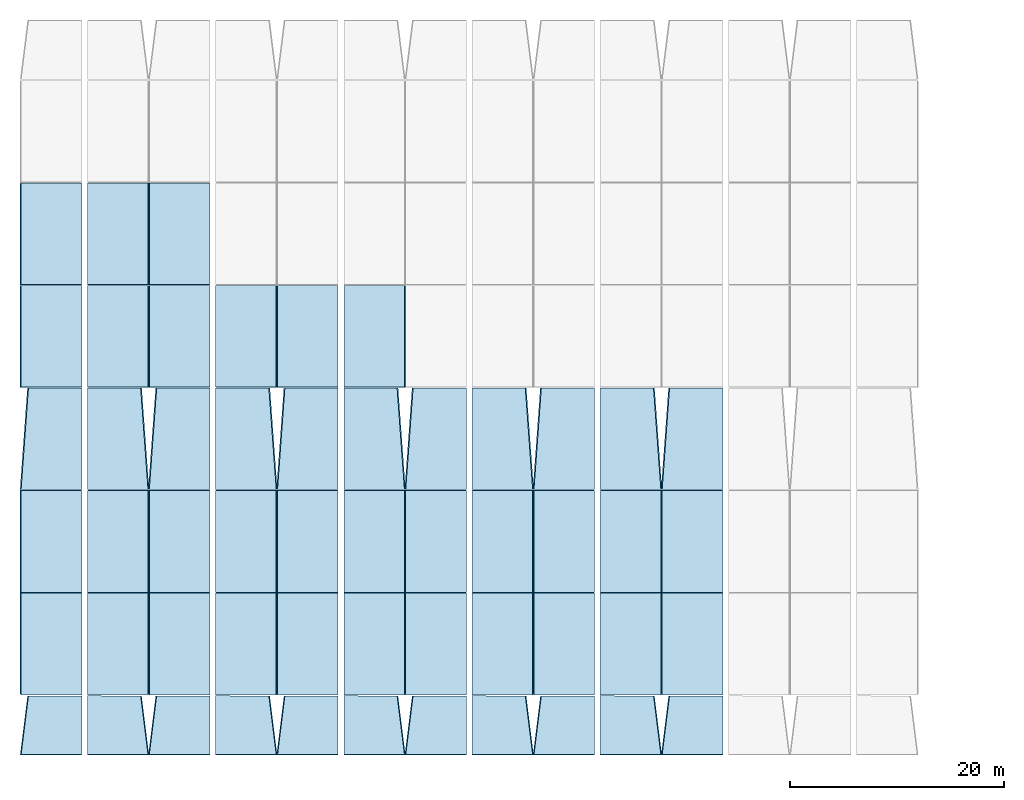
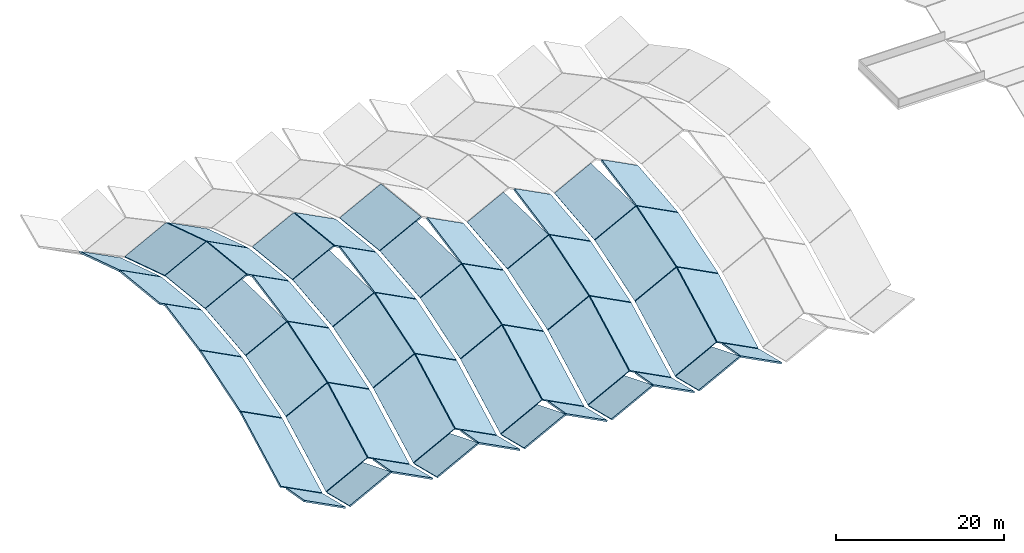
# One storey, part 1 of 4: 53 slabs.
"""IFC4 building model written with IfcOpenShell, lengths in metres."""

from ifc_helpers import new_model, si_unit, direction, frame, origin, place, context, subcontext, project, spatial, polyline, outline, extrude, material, layer, layer_set, type_object, element, save


model = new_model("IFC4")

# Units and contexts
model_context = context("Model", 3, precision=1e-05, world=origin(), true_north=direction((0.0, 1.0)))
body_context = subcontext(model_context, "Body", "Model", "MODEL_VIEW")
ifc_project = project(units=[si_unit("LENGTHUNIT", "METRE"), si_unit("AREAUNIT", "SQUARE_METRE"), si_unit("VOLUMEUNIT", "CUBIC_METRE"), si_unit("PLANEANGLEUNIT", "RADIAN"), si_unit("MASSUNIT", "GRAM", prefix="KILO")], contexts=[model_context])

# Site, building, storey
site_placement = place(None, origin())
site = spatial("IfcSite", under=ifc_project, at=site_placement, CompositionType="ELEMENT")
building_placement = place(site_placement, origin())
building = spatial("IfcBuilding", under=site, at=building_placement, Name="Pandanus Reach Market Hall", CompositionType="ELEMENT")
storey_placement = place(building_placement, frame((0.0, 0.0, 22.800048828125)))
storey = spatial("IfcBuildingStorey", under=building, at=storey_placement, Name="RF", CompositionType="ELEMENT", Elevation=22.800048828125)

# Slabs
ifc_material = material(Name="Concrete N50 (50 MPa)", Category="concrete")
ifc_layer_1 = layer(ifc_material, 0.205078125, Name="RF-BFY-205")
ifc_layer_set_1 = layer_set([ifc_layer_1], Name="Concrete N50 (50 MPa)")
slab_type_1 = type_object("IfcSlabType", Name="RF-BFY-205", PredefinedType="ROOF", material=ifc_layer_set_1)
slab_1_placement = place(storey_placement, frame((48.06005859375, 23.239990234375, -8.481201171875), z_axis=(0.450572874973, 0.215049677559, 0.866451222239), x_axis=(0.887209365664, -2.058844e-06, -0.461367035531)))
element("IfcSlab", 1, at=slab_1_placement, inside=storey, type_object=slab_type_1, Name="Butterfly shell roof wing B1.1W", PredefinedType="ROOF", context=body_context, shape_type="SweptSolid", body=[
    extrude(outline(polyline([(0.0, 0.0), (6.4019883515664695, -1.1102230246251565e-16), (7.0341038918322285, 5.652279776591236), (1.4097038807345572, 5.652254422933277), (0.0, 0.0)])), origin(), (0.0, 0.0, -1.0), 0.205078125),
])
slab_2_placement = place(storey_placement, frame((54.260009765625, 23.239990234375, -11.434814453125), z_axis=(-0.450572874973, 0.215049677559, 0.866451222239), x_axis=(0.887209365664, 2.058844e-06, 0.461367035531)))
element("IfcSlab", 2, at=slab_2_placement, inside=storey, type_object=slab_type_1, Name="Butterfly shell roof wing B1.1E", PredefinedType="ROOF", context=body_context, shape_type="SweptSolid", body=[
    extrude(outline(polyline([(0.0, 0.0), (6.4019883515664695, 1.1102230246251565e-16), (4.992284470831912, 5.652254422933277), (-0.6321155402657588, 5.652279776591236), (0.0, 0.0)])), origin(), (0.0, 0.0, -1.0), 0.205078125),
])
slab_3_placement = place(storey_placement, frame((60.06005859375, 23.239990234375, -8.481201171875), z_axis=(0.450572874973, 0.215049677559, 0.866451222239), x_axis=(0.887209365664, -2.058844e-06, -0.461367035531)))
element("IfcSlab", 3, at=slab_3_placement, inside=storey, type_object=slab_type_1, Name="Butterfly shell roof wing B2.1W", PredefinedType="ROOF", context=body_context, shape_type="SweptSolid", body=[
    extrude(outline(polyline([(0.0, 0.0), (6.4019883515664695, -1.1102230246251565e-16), (7.0341038918322285, 5.652279776591236), (1.4097038807345572, 5.652254422933277), (0.0, 0.0)])), origin(), (0.0, 0.0, -1.0), 0.205078125),
])
slab_4_placement = place(storey_placement, frame((66.260009765625, 23.239990234375, -11.434814453125), z_axis=(-0.450572874973, 0.215049677559, 0.866451222239), x_axis=(0.887209365664, 2.058844e-06, 0.461367035531)))
element("IfcSlab", 4, at=slab_4_placement, inside=storey, type_object=slab_type_1, Name="Butterfly shell roof wing B2.1E", PredefinedType="ROOF", context=body_context, shape_type="SweptSolid", body=[
    extrude(outline(polyline([(0.0, 0.0), (6.4019883515664695, 1.1102230246251565e-16), (4.992284470831912, 5.652254422933277), (-0.6321155402657588, 5.652279776591236), (0.0, 0.0)])), origin(), (0.0, 0.0, -1.0), 0.205078125),
])
slab_5_placement = place(storey_placement, frame((72.06005859375, 23.239990234375, -8.481201171875), z_axis=(0.450572874973, 0.215049677559, 0.866451222239), x_axis=(0.887209365664, -2.058844e-06, -0.461367035531)))
element("IfcSlab", 5, at=slab_5_placement, inside=storey, type_object=slab_type_1, Name="Butterfly shell roof wing B3.1W", PredefinedType="ROOF", context=body_context, shape_type="SweptSolid", body=[
    extrude(outline(polyline([(0.0, 0.0), (6.4019883515664695, -1.1102230246251565e-16), (7.0341038918322285, 5.652279776591236), (1.4097038807345572, 5.652254422933277), (0.0, 0.0)])), origin(), (0.0, 0.0, -1.0), 0.205078125),
])
slab_6_placement = place(storey_placement, frame((78.260009765625, 23.239990234375, -11.434814453125), z_axis=(-0.450572874973, 0.215049677559, 0.866451222239), x_axis=(0.887209365664, 2.058844e-06, 0.461367035531)))
element("IfcSlab", 6, at=slab_6_placement, inside=storey, type_object=slab_type_1, Name="Butterfly shell roof wing B3.1E", PredefinedType="ROOF", context=body_context, shape_type="SweptSolid", body=[
    extrude(outline(polyline([(0.0, 0.0), (6.4019883515664695, 1.1102230246251565e-16), (4.992284470831912, 5.652254422933277), (-0.6321155402657588, 5.652279776591236), (0.0, 0.0)])), origin(), (0.0, 0.0, -1.0), 0.205078125),
])
slab_7_placement = place(storey_placement, frame((84.06005859375, 23.239990234375, -8.481201171875), z_axis=(0.450572874973, 0.215049677559, 0.866451222239), x_axis=(0.887209365664, -2.058844e-06, -0.461367035531)))
element("IfcSlab", 7, at=slab_7_placement, inside=storey, type_object=slab_type_1, Name="Butterfly shell roof wing B4.1W", PredefinedType="ROOF", context=body_context, shape_type="SweptSolid", body=[
    extrude(outline(polyline([(0.0, 0.0), (6.4019883515664695, -1.1102230246251565e-16), (7.0341038918322285, 5.652279776591236), (1.4097038807345572, 5.652254422933277), (0.0, 0.0)])), origin(), (0.0, 0.0, -1.0), 0.205078125),
])
slab_8_placement = place(storey_placement, frame((90.260009765625, 23.239990234375, -11.434814453125), z_axis=(-0.450572874973, 0.215049677559, 0.866451222239), x_axis=(0.887209365664, 2.058844e-06, 0.461367035531)))
element("IfcSlab", 8, at=slab_8_placement, inside=storey, type_object=slab_type_1, Name="Butterfly shell roof wing B4.1E", PredefinedType="ROOF", context=body_context, shape_type="SweptSolid", body=[
    extrude(outline(polyline([(0.0, 0.0), (6.4019883515664695, 1.1102230246251565e-16), (4.992284470831912, 5.652254422933277), (-0.6321155402657588, 5.652279776591236), (0.0, 0.0)])), origin(), (0.0, 0.0, -1.0), 0.205078125),
])
slab_9_placement = place(storey_placement, frame((96.06005859375, 23.239990234375, -8.481201171875), z_axis=(0.450572874973, 0.215049677559, 0.866451222239), x_axis=(0.887209365664, -2.058844e-06, -0.461367035531)))
element("IfcSlab", 9, at=slab_9_placement, inside=storey, type_object=slab_type_1, Name="Butterfly shell roof wing B5.1W", PredefinedType="ROOF", context=body_context, shape_type="SweptSolid", body=[
    extrude(outline(polyline([(0.0, 0.0), (6.4019883515664695, -1.1102230246251565e-16), (7.0341038918322285, 5.652279776591236), (1.4097038807345572, 5.652254422933277), (0.0, 0.0)])), origin(), (0.0, 0.0, -1.0), 0.205078125),
])
slab_10_placement = place(storey_placement, frame((102.260009765625, 23.239990234375, -11.434814453125), z_axis=(-0.450572874973, 0.215049677559, 0.866451222239), x_axis=(0.887209365664, 2.058844e-06, 0.461367035531)))
element("IfcSlab", 10, at=slab_10_placement, inside=storey, type_object=slab_type_1, Name="Butterfly shell roof wing B5.1E", PredefinedType="ROOF", context=body_context, shape_type="SweptSolid", body=[
    extrude(outline(polyline([(0.0, 0.0), (6.4019883515664695, 1.1102230246251565e-16), (4.992284470831912, 5.652254422933277), (-0.6321155402657588, 5.652279776591236), (0.0, 0.0)])), origin(), (0.0, 0.0, -1.0), 0.205078125),
])
slab_11_placement = place(storey_placement, frame((108.06005859375, 23.239990234375, -8.481201171875), z_axis=(0.450572874973, 0.215049677559, 0.866451222239), x_axis=(0.887209365664, -2.058844e-06, -0.461367035531)))
element("IfcSlab", 11, at=slab_11_placement, inside=storey, type_object=slab_type_1, Name="Butterfly shell roof wing B6.1W", PredefinedType="ROOF", context=body_context, shape_type="SweptSolid", body=[
    extrude(outline(polyline([(0.0, 0.0), (6.4019883515664695, -1.1102230246251565e-16), (7.0341038918322285, 5.652279776591236), (1.4097038807345572, 5.652254422933277), (0.0, 0.0)])), origin(), (0.0, 0.0, -1.0), 0.205078125),
])
ifc_layer_2 = layer(ifc_material, 0.219970703125, Name="RF-BFY-220")
ifc_layer_set_2 = layer_set([ifc_layer_2], Name="Concrete N50 (50 MPa)")
slab_type_2 = type_object("IfcSlabType", Name="RF-BFY-220", PredefinedType="ROOF", material=ifc_layer_set_2)
slab_12_placement = place(storey_placement, frame((48.06005859375, 28.840087890625, -9.82568359375), z_axis=(0.417159840837, -0.427112666279, 0.802217200948), x_axis=(0.887213679321, 0.0, -0.461358740272)))
element("IfcSlab", 12, at=slab_12_placement, inside=storey, type_object=slab_type_2, Name="Butterfly shell roof wing B1.2W", PredefinedType="ROOF", context=body_context, shape_type="SweptSolid", body=[
    extrude(outline(polyline([(0.0, 0.0), (6.401988351859865, 2.220446049250313e-16), (4.063543818952953, 10.528684183719509), (-2.3384445329069137, 10.528684183719509), (0.0, 0.0)])), origin(), (0.0, 0.0, -1.0), 0.219970703125),
])
slab_13_placement = place(storey_placement, frame((54.260009765625, 28.840087890625, -12.779296875), z_axis=(-0.417159840837, -0.427112666279, 0.802217200948), x_axis=(0.887213679321, 0.0, 0.461358740272)))
element("IfcSlab", 13, at=slab_13_placement, inside=storey, type_object=slab_type_2, Name="Butterfly shell roof wing B1.2E", PredefinedType="ROOF", context=body_context, shape_type="SweptSolid", body=[
    extrude(outline(polyline([(0.0, 0.0), (6.401988351859865, -2.220446049250313e-16), (8.74043288476678, 10.528684183719509), (2.3384445329069137, 10.528684183719509), (0.0, 0.0)])), origin(), (0.0, 0.0, -1.0), 0.219970703125),
])
slab_14_placement = place(storey_placement, frame((48.06005859375, 38.43994140625, -4.72314453125), z_axis=(0.443877113552, -0.272667290232, 0.853595722167), x_axis=(0.887213679321, 0.0, -0.461358740272)))
element("IfcSlab", 14, at=slab_14_placement, inside=storey, type_object=slab_type_2, Name="Butterfly shell roof wing B1.3W", PredefinedType="ROOF", context=body_context, shape_type="SweptSolid", body=[
    extrude(outline(polyline([(0.0, 0.0), (6.401988351859866, 1.1102230246251565e-16), (4.998989213962437, 9.894955347344156), (-1.4029991378974285, 9.894955347344156), (0.0, 0.0)])), origin(), (0.0, 0.0, -1.0), 0.219970703125),
])
slab_15_placement = place(storey_placement, frame((54.260009765625, 38.43994140625, -7.6767578125), z_axis=(-0.443877113552, -0.272667290232, 0.853595722167), x_axis=(0.887213679321, 0.0, 0.461358740272)))
element("IfcSlab", 15, at=slab_15_placement, inside=storey, type_object=slab_type_2, Name="Butterfly shell roof wing B1.3E", PredefinedType="ROOF", context=body_context, shape_type="SweptSolid", body=[
    extrude(outline(polyline([(0.0, 0.0), (6.401988351859866, -1.1102230246251565e-16), (7.804987489757294, 9.894955347344156), (1.4029991378974285, 9.894955347344156), (0.0, 0.0)])), origin(), (0.0, 0.0, -1.0), 0.219970703125),
])
slab_16_placement = place(storey_placement, frame((48.06005859375, 48.0400390625, -1.6650390625), z_axis=(0.459305750832, -0.094067335616, 0.883283399382), x_axis=(0.887217432482, -7.68654e-07, -0.461351522702)))
element("IfcSlab", 16, at=slab_16_placement, inside=storey, type_object=slab_type_2, Name="Butterfly shell roof wing B1.4W", PredefinedType="ROOF", context=body_context, shape_type="SweptSolid", body=[
    extrude(outline(polyline([(0.0, 0.0), (6.401988351646134, -2.7755575615628914e-17), (5.934209336347639, 9.562425442963313), (0.30992196189048776, 9.562416157750382), (0.0, 0.0)])), origin(), (0.0, 0.0, -1.0), 0.219970703125),
])
slab_17_placement = place(storey_placement, frame((54.260009765625, 48.0400390625, -4.61865234375), z_axis=(-0.459305750832, -0.094067335616, 0.883283399382), x_axis=(0.887217432482, 7.68654e-07, 0.461351522702)))
element("IfcSlab", 17, at=slab_17_placement, inside=storey, type_object=slab_type_2, Name="Butterfly shell roof wing B1.4E", PredefinedType="ROOF", context=body_context, shape_type="SweptSolid", body=[
    extrude(outline(polyline([(0.0, 0.0), (6.401988351646134, 2.7755575615628914e-17), (6.0920663897556455, 9.562416157750384), (0.4677790152984958, 9.562425442963313), (0.0, 0.0)])), origin(), (0.0, 0.0, -1.0), 0.219970703125),
])
slab_18_placement = place(storey_placement, frame((48.06005859375, 57.639892578125, -0.6513671875), z_axis=(0.459298291418, 0.094061978556, 0.883287848717), x_axis=(0.887221553122, -1.584233e-06, -0.461343598278)))
element("IfcSlab", 18, at=slab_18_placement, inside=storey, type_object=slab_type_2, Name="Butterfly shell roof wing B1.5W", PredefinedType="ROOF", context=body_context, shape_type="SweptSolid", body=[
    extrude(outline(polyline([(0.0, 0.0), (6.401875718205034, 2.7755575615628914e-17), (6.86962429927211, 9.562426931245342), (0.4676359483526534, 9.562406556601216), (0.0, 0.0)])), origin(), (0.0, 0.0, -1.0), 0.219970703125),
])
slab_19_placement = place(storey_placement, frame((54.260009765625, 57.639892578125, -3.604736328125), z_axis=(-0.459298291418, 0.094061978556, 0.883287848717), x_axis=(0.887221553122, 1.584233e-06, 0.461343598278)))
element("IfcSlab", 19, at=slab_19_placement, inside=storey, type_object=slab_type_2, Name="Butterfly shell roof wing B1.5E", PredefinedType="ROOF", context=body_context, shape_type="SweptSolid", body=[
    extrude(outline(polyline([(0.0, 0.0), (6.401875718205034, -2.7755575615628914e-17), (5.93423976985238, 9.562406556601218), (-0.46774858106707684, 9.562426931245342), (0.0, 0.0)])), origin(), (0.0, 0.0, -1.0), 0.219970703125),
])
slab_20_placement = place(storey_placement, frame((48.06005859375, 67.239990234375, -1.68212890625), z_axis=(0.443877113552, 0.272667290232, 0.853595722167), x_axis=(0.887213679321, 0.0, -0.461358740272)))
element("IfcSlab", 20, at=slab_20_placement, inside=storey, type_object=slab_type_2, Name="Butterfly shell roof wing B1.6W", PredefinedType="ROOF", context=body_context, shape_type="SweptSolid", body=[
    extrude(outline(polyline([(0.0, 0.0), (6.401988351859866, -1.1102230246251565e-16), (7.804987489757294, 9.894955347344156), (1.4029991378974285, 9.894955347344156), (0.0, 0.0)])), origin(), (0.0, 0.0, -1.0), 0.219970703125),
])
slab_21_placement = place(storey_placement, frame((54.260009765625, 67.239990234375, -4.6357421875), z_axis=(-0.443877113552, 0.272667290232, 0.853595722167), x_axis=(0.887213679321, 0.0, 0.461358740272)))
element("IfcSlab", 21, at=slab_21_placement, inside=storey, type_object=slab_type_2, Name="Butterfly shell roof wing B1.6E", PredefinedType="ROOF", context=body_context, shape_type="SweptSolid", body=[
    extrude(outline(polyline([(0.0, 0.0), (6.401988351859866, 1.1102230246251565e-16), (4.998989213962437, 9.894955347344156), (-1.4029991378974285, 9.894955347344156), (0.0, 0.0)])), origin(), (0.0, 0.0, -1.0), 0.219970703125),
])
slab_22_placement = place(storey_placement, frame((60.06005859375, 28.840087890625, -9.82568359375), z_axis=(0.417159840837, -0.427112666279, 0.802217200948), x_axis=(0.887213679321, 0.0, -0.461358740272)))
element("IfcSlab", 22, at=slab_22_placement, inside=storey, type_object=slab_type_2, Name="Butterfly shell roof wing B2.2W", PredefinedType="ROOF", context=body_context, shape_type="SweptSolid", body=[
    extrude(outline(polyline([(0.0, 0.0), (6.401988351859865, 2.220446049250313e-16), (4.063543818952953, 10.528684183719509), (-2.3384445329069137, 10.528684183719509), (0.0, 0.0)])), origin(), (0.0, 0.0, -1.0), 0.219970703125),
])
slab_23_placement = place(storey_placement, frame((66.260009765625, 28.840087890625, -12.779296875), z_axis=(-0.417159840837, -0.427112666279, 0.802217200948), x_axis=(0.887213679321, 0.0, 0.461358740272)))
element("IfcSlab", 23, at=slab_23_placement, inside=storey, type_object=slab_type_2, Name="Butterfly shell roof wing B2.2E", PredefinedType="ROOF", context=body_context, shape_type="SweptSolid", body=[
    extrude(outline(polyline([(0.0, 0.0), (6.401988351859865, -2.220446049250313e-16), (8.74043288476678, 10.528684183719509), (2.3384445329069137, 10.528684183719509), (0.0, 0.0)])), origin(), (0.0, 0.0, -1.0), 0.219970703125),
])
slab_24_placement = place(storey_placement, frame((60.06005859375, 38.43994140625, -4.72314453125), z_axis=(0.443877113552, -0.272667290232, 0.853595722167), x_axis=(0.887213679321, 0.0, -0.461358740272)))
element("IfcSlab", 24, at=slab_24_placement, inside=storey, type_object=slab_type_2, Name="Butterfly shell roof wing B2.3W", PredefinedType="ROOF", context=body_context, shape_type="SweptSolid", body=[
    extrude(outline(polyline([(0.0, 0.0), (6.401988351859866, 1.1102230246251565e-16), (4.998989213962437, 9.894955347344156), (-1.4029991378974285, 9.894955347344156), (0.0, 0.0)])), origin(), (0.0, 0.0, -1.0), 0.219970703125),
])
slab_25_placement = place(storey_placement, frame((66.260009765625, 38.43994140625, -7.6767578125), z_axis=(-0.443877113552, -0.272667290232, 0.853595722167), x_axis=(0.887213679321, 0.0, 0.461358740272)))
element("IfcSlab", 25, at=slab_25_placement, inside=storey, type_object=slab_type_2, Name="Butterfly shell roof wing B2.3E", PredefinedType="ROOF", context=body_context, shape_type="SweptSolid", body=[
    extrude(outline(polyline([(0.0, 0.0), (6.401988351859866, -1.1102230246251565e-16), (7.804987489757294, 9.894955347344156), (1.4029991378974285, 9.894955347344156), (0.0, 0.0)])), origin(), (0.0, 0.0, -1.0), 0.219970703125),
])
slab_26_placement = place(storey_placement, frame((60.06005859375, 48.0400390625, -1.6650390625), z_axis=(0.459305750832, -0.094067335616, 0.883283399382), x_axis=(0.887217432482, -7.68654e-07, -0.461351522702)))
element("IfcSlab", 26, at=slab_26_placement, inside=storey, type_object=slab_type_2, Name="Butterfly shell roof wing B2.4W", PredefinedType="ROOF", context=body_context, shape_type="SweptSolid", body=[
    extrude(outline(polyline([(0.0, 0.0), (6.401988351646134, -2.7755575615628914e-17), (5.934209336347639, 9.562425442963313), (0.30992196189048776, 9.562416157750382), (0.0, 0.0)])), origin(), (0.0, 0.0, -1.0), 0.219970703125),
])
slab_27_placement = place(storey_placement, frame((66.260009765625, 48.0400390625, -4.61865234375), z_axis=(-0.459305750832, -0.094067335616, 0.883283399382), x_axis=(0.887217432482, 7.68654e-07, 0.461351522702)))
element("IfcSlab", 27, at=slab_27_placement, inside=storey, type_object=slab_type_2, Name="Butterfly shell roof wing B2.4E", PredefinedType="ROOF", context=body_context, shape_type="SweptSolid", body=[
    extrude(outline(polyline([(0.0, 0.0), (6.401988351646134, 2.7755575615628914e-17), (6.0920663897556455, 9.562416157750384), (0.4677790152984958, 9.562425442963313), (0.0, 0.0)])), origin(), (0.0, 0.0, -1.0), 0.219970703125),
])
slab_28_placement = place(storey_placement, frame((60.06005859375, 57.639892578125, -0.6513671875), z_axis=(0.459298291418, 0.094061978556, 0.883287848717), x_axis=(0.887221553122, -1.584233e-06, -0.461343598278)))
element("IfcSlab", 28, at=slab_28_placement, inside=storey, type_object=slab_type_2, Name="Butterfly shell roof wing B2.5W", PredefinedType="ROOF", context=body_context, shape_type="SweptSolid", body=[
    extrude(outline(polyline([(0.0, 0.0), (6.401875718205034, 2.7755575615628914e-17), (6.86962429927211, 9.562426931245342), (0.4676359483526534, 9.562406556601216), (0.0, 0.0)])), origin(), (0.0, 0.0, -1.0), 0.219970703125),
])
slab_29_placement = place(storey_placement, frame((66.260009765625, 57.639892578125, -3.604736328125), z_axis=(-0.459298291418, 0.094061978556, 0.883287848717), x_axis=(0.887221553122, 1.584233e-06, 0.461343598278)))
element("IfcSlab", 29, at=slab_29_placement, inside=storey, type_object=slab_type_2, Name="Butterfly shell roof wing B2.5E", PredefinedType="ROOF", context=body_context, shape_type="SweptSolid", body=[
    extrude(outline(polyline([(0.0, 0.0), (6.401875718205034, -2.7755575615628914e-17), (5.93423976985238, 9.562406556601218), (-0.46774858106707684, 9.562426931245342), (0.0, 0.0)])), origin(), (0.0, 0.0, -1.0), 0.219970703125),
])
slab_30_placement = place(storey_placement, frame((60.06005859375, 67.239990234375, -1.68212890625), z_axis=(0.443877113552, 0.272667290232, 0.853595722167), x_axis=(0.887213679321, 0.0, -0.461358740272)))
element("IfcSlab", 30, at=slab_30_placement, inside=storey, type_object=slab_type_2, Name="Butterfly shell roof wing B2.6W", PredefinedType="ROOF", context=body_context, shape_type="SweptSolid", body=[
    extrude(outline(polyline([(0.0, 0.0), (6.401988351859866, -1.1102230246251565e-16), (7.804987489757294, 9.894955347344156), (1.4029991378974285, 9.894955347344156), (0.0, 0.0)])), origin(), (0.0, 0.0, -1.0), 0.219970703125),
])
slab_31_placement = place(storey_placement, frame((72.06005859375, 28.840087890625, -9.82568359375), z_axis=(0.417159840837, -0.427112666279, 0.802217200948), x_axis=(0.887213679321, 0.0, -0.461358740272)))
element("IfcSlab", 31, at=slab_31_placement, inside=storey, type_object=slab_type_2, Name="Butterfly shell roof wing B3.2W", PredefinedType="ROOF", context=body_context, shape_type="SweptSolid", body=[
    extrude(outline(polyline([(0.0, 0.0), (6.401988351859865, 2.220446049250313e-16), (4.063543818952953, 10.528684183719509), (-2.3384445329069137, 10.528684183719509), (0.0, 0.0)])), origin(), (0.0, 0.0, -1.0), 0.219970703125),
])
slab_32_placement = place(storey_placement, frame((78.260009765625, 28.840087890625, -12.779296875), z_axis=(-0.417159840837, -0.427112666279, 0.802217200948), x_axis=(0.887213679321, 0.0, 0.461358740272)))
element("IfcSlab", 32, at=slab_32_placement, inside=storey, type_object=slab_type_2, Name="Butterfly shell roof wing B3.2E", PredefinedType="ROOF", context=body_context, shape_type="SweptSolid", body=[
    extrude(outline(polyline([(0.0, 0.0), (6.401988351859865, -2.220446049250313e-16), (8.74043288476678, 10.528684183719509), (2.3384445329069137, 10.528684183719509), (0.0, 0.0)])), origin(), (0.0, 0.0, -1.0), 0.219970703125),
])
slab_33_placement = place(storey_placement, frame((72.06005859375, 38.43994140625, -4.72314453125), z_axis=(0.443877113552, -0.272667290232, 0.853595722167), x_axis=(0.887213679321, 0.0, -0.461358740272)))
element("IfcSlab", 33, at=slab_33_placement, inside=storey, type_object=slab_type_2, Name="Butterfly shell roof wing B3.3W", PredefinedType="ROOF", context=body_context, shape_type="SweptSolid", body=[
    extrude(outline(polyline([(0.0, 0.0), (6.401988351859866, 1.1102230246251565e-16), (4.998989213962437, 9.894955347344156), (-1.4029991378974285, 9.894955347344156), (0.0, 0.0)])), origin(), (0.0, 0.0, -1.0), 0.219970703125),
])
slab_34_placement = place(storey_placement, frame((78.260009765625, 38.43994140625, -7.6767578125), z_axis=(-0.443877113552, -0.272667290232, 0.853595722167), x_axis=(0.887213679321, 0.0, 0.461358740272)))
element("IfcSlab", 34, at=slab_34_placement, inside=storey, type_object=slab_type_2, Name="Butterfly shell roof wing B3.3E", PredefinedType="ROOF", context=body_context, shape_type="SweptSolid", body=[
    extrude(outline(polyline([(0.0, 0.0), (6.401988351859866, -1.1102230246251565e-16), (7.804987489757294, 9.894955347344156), (1.4029991378974285, 9.894955347344156), (0.0, 0.0)])), origin(), (0.0, 0.0, -1.0), 0.219970703125),
])
slab_35_placement = place(storey_placement, frame((72.06005859375, 48.0400390625, -1.6650390625), z_axis=(0.459305750832, -0.094067335616, 0.883283399382), x_axis=(0.887217432482, -7.68654e-07, -0.461351522702)))
element("IfcSlab", 35, at=slab_35_placement, inside=storey, type_object=slab_type_2, Name="Butterfly shell roof wing B3.4W", PredefinedType="ROOF", context=body_context, shape_type="SweptSolid", body=[
    extrude(outline(polyline([(0.0, 0.0), (6.401988351646134, -2.7755575615628914e-17), (5.934209336347639, 9.562425442963313), (0.30992196189048776, 9.562416157750382), (0.0, 0.0)])), origin(), (0.0, 0.0, -1.0), 0.219970703125),
])
slab_36_placement = place(storey_placement, frame((78.260009765625, 48.0400390625, -4.61865234375), z_axis=(-0.459305750832, -0.094067335616, 0.883283399382), x_axis=(0.887217432482, 7.68654e-07, 0.461351522702)))
element("IfcSlab", 36, at=slab_36_placement, inside=storey, type_object=slab_type_2, Name="Butterfly shell roof wing B3.4E", PredefinedType="ROOF", context=body_context, shape_type="SweptSolid", body=[
    extrude(outline(polyline([(0.0, 0.0), (6.401988351646134, 2.7755575615628914e-17), (6.0920663897556455, 9.562416157750384), (0.4677790152984958, 9.562425442963313), (0.0, 0.0)])), origin(), (0.0, 0.0, -1.0), 0.219970703125),
])
slab_37_placement = place(storey_placement, frame((72.06005859375, 57.639892578125, -0.6513671875), z_axis=(0.459298291418, 0.094061978556, 0.883287848717), x_axis=(0.887221553122, -1.584233e-06, -0.461343598278)))
element("IfcSlab", 37, at=slab_37_placement, inside=storey, type_object=slab_type_2, Name="Butterfly shell roof wing B3.5W", PredefinedType="ROOF", context=body_context, shape_type="SweptSolid", body=[
    extrude(outline(polyline([(0.0, 0.0), (6.401875718205034, 2.7755575615628914e-17), (6.86962429927211, 9.562426931245342), (0.4676359483526534, 9.562406556601216), (0.0, 0.0)])), origin(), (0.0, 0.0, -1.0), 0.219970703125),
])
slab_38_placement = place(storey_placement, frame((78.260009765625, 57.639892578125, -3.604736328125), z_axis=(-0.459298291418, 0.094061978556, 0.883287848717), x_axis=(0.887221553122, 1.584233e-06, 0.461343598278)))
element("IfcSlab", 38, at=slab_38_placement, inside=storey, type_object=slab_type_2, Name="Butterfly shell roof wing B3.5E", PredefinedType="ROOF", context=body_context, shape_type="SweptSolid", body=[
    extrude(outline(polyline([(0.0, 0.0), (6.401875718205034, -2.7755575615628914e-17), (5.93423976985238, 9.562406556601218), (-0.46774858106707684, 9.562426931245342), (0.0, 0.0)])), origin(), (0.0, 0.0, -1.0), 0.219970703125),
])
slab_39_placement = place(storey_placement, frame((84.06005859375, 28.840087890625, -9.82568359375), z_axis=(0.417159840837, -0.427112666279, 0.802217200948), x_axis=(0.887213679321, 0.0, -0.461358740272)))
element("IfcSlab", 39, at=slab_39_placement, inside=storey, type_object=slab_type_2, Name="Butterfly shell roof wing B4.2W", PredefinedType="ROOF", context=body_context, shape_type="SweptSolid", body=[
    extrude(outline(polyline([(0.0, 0.0), (6.401988351859865, 2.220446049250313e-16), (4.063543818952953, 10.528684183719509), (-2.3384445329069137, 10.528684183719509), (0.0, 0.0)])), origin(), (0.0, 0.0, -1.0), 0.219970703125),
])
slab_40_placement = place(storey_placement, frame((90.260009765625, 28.840087890625, -12.779296875), z_axis=(-0.417159840837, -0.427112666279, 0.802217200948), x_axis=(0.887213679321, 0.0, 0.461358740272)))
element("IfcSlab", 40, at=slab_40_placement, inside=storey, type_object=slab_type_2, Name="Butterfly shell roof wing B4.2E", PredefinedType="ROOF", context=body_context, shape_type="SweptSolid", body=[
    extrude(outline(polyline([(0.0, 0.0), (6.401988351859865, -2.220446049250313e-16), (8.74043288476678, 10.528684183719509), (2.3384445329069137, 10.528684183719509), (0.0, 0.0)])), origin(), (0.0, 0.0, -1.0), 0.219970703125),
])
slab_41_placement = place(storey_placement, frame((84.06005859375, 38.43994140625, -4.72314453125), z_axis=(0.443877113552, -0.272667290232, 0.853595722167), x_axis=(0.887213679321, 0.0, -0.461358740272)))
element("IfcSlab", 41, at=slab_41_placement, inside=storey, type_object=slab_type_2, Name="Butterfly shell roof wing B4.3W", PredefinedType="ROOF", context=body_context, shape_type="SweptSolid", body=[
    extrude(outline(polyline([(0.0, 0.0), (6.401988351859866, 1.1102230246251565e-16), (4.998989213962437, 9.894955347344156), (-1.4029991378974285, 9.894955347344156), (0.0, 0.0)])), origin(), (0.0, 0.0, -1.0), 0.219970703125),
])
slab_42_placement = place(storey_placement, frame((90.260009765625, 38.43994140625, -7.6767578125), z_axis=(-0.443877113552, -0.272667290232, 0.853595722167), x_axis=(0.887213679321, 0.0, 0.461358740272)))
element("IfcSlab", 42, at=slab_42_placement, inside=storey, type_object=slab_type_2, Name="Butterfly shell roof wing B4.3E", PredefinedType="ROOF", context=body_context, shape_type="SweptSolid", body=[
    extrude(outline(polyline([(0.0, 0.0), (6.401988351859866, -1.1102230246251565e-16), (7.804987489757294, 9.894955347344156), (1.4029991378974285, 9.894955347344156), (0.0, 0.0)])), origin(), (0.0, 0.0, -1.0), 0.219970703125),
])
slab_43_placement = place(storey_placement, frame((84.06005859375, 48.0400390625, -1.6650390625), z_axis=(0.459305750832, -0.094067335616, 0.883283399382), x_axis=(0.887217432482, -7.68654e-07, -0.461351522702)))
element("IfcSlab", 43, at=slab_43_placement, inside=storey, type_object=slab_type_2, Name="Butterfly shell roof wing B4.4W", PredefinedType="ROOF", context=body_context, shape_type="SweptSolid", body=[
    extrude(outline(polyline([(0.0, 0.0), (6.401988351646134, -2.7755575615628914e-17), (5.934209336347639, 9.562425442963313), (0.30992196189048776, 9.562416157750382), (0.0, 0.0)])), origin(), (0.0, 0.0, -1.0), 0.219970703125),
])
slab_44_placement = place(storey_placement, frame((90.260009765625, 48.0400390625, -4.61865234375), z_axis=(-0.459305750832, -0.094067335616, 0.883283399382), x_axis=(0.887217432482, 7.68654e-07, 0.461351522702)))
element("IfcSlab", 44, at=slab_44_placement, inside=storey, type_object=slab_type_2, Name="Butterfly shell roof wing B4.4E", PredefinedType="ROOF", context=body_context, shape_type="SweptSolid", body=[
    extrude(outline(polyline([(0.0, 0.0), (6.401988351646134, 2.7755575615628914e-17), (6.0920663897556455, 9.562416157750384), (0.4677790152984958, 9.562425442963313), (0.0, 0.0)])), origin(), (0.0, 0.0, -1.0), 0.219970703125),
])
slab_45_placement = place(storey_placement, frame((96.06005859375, 28.840087890625, -9.82568359375), z_axis=(0.417159840837, -0.427112666279, 0.802217200948), x_axis=(0.887213679321, 0.0, -0.461358740272)))
element("IfcSlab", 45, at=slab_45_placement, inside=storey, type_object=slab_type_2, Name="Butterfly shell roof wing B5.2W", PredefinedType="ROOF", context=body_context, shape_type="SweptSolid", body=[
    extrude(outline(polyline([(0.0, 0.0), (6.401988351859865, 2.220446049250313e-16), (4.063543818952953, 10.528684183719509), (-2.3384445329069137, 10.528684183719509), (0.0, 0.0)])), origin(), (0.0, 0.0, -1.0), 0.219970703125),
])
slab_46_placement = place(storey_placement, frame((102.260009765625, 28.840087890625, -12.779296875), z_axis=(-0.417159840837, -0.427112666279, 0.802217200948), x_axis=(0.887213679321, 0.0, 0.461358740272)))
element("IfcSlab", 46, at=slab_46_placement, inside=storey, type_object=slab_type_2, Name="Butterfly shell roof wing B5.2E", PredefinedType="ROOF", context=body_context, shape_type="SweptSolid", body=[
    extrude(outline(polyline([(0.0, 0.0), (6.401988351859865, -2.220446049250313e-16), (8.74043288476678, 10.528684183719509), (2.3384445329069137, 10.528684183719509), (0.0, 0.0)])), origin(), (0.0, 0.0, -1.0), 0.219970703125),
])
slab_47_placement = place(storey_placement, frame((96.06005859375, 38.43994140625, -4.72314453125), z_axis=(0.443877113552, -0.272667290232, 0.853595722167), x_axis=(0.887213679321, 0.0, -0.461358740272)))
element("IfcSlab", 47, at=slab_47_placement, inside=storey, type_object=slab_type_2, Name="Butterfly shell roof wing B5.3W", PredefinedType="ROOF", context=body_context, shape_type="SweptSolid", body=[
    extrude(outline(polyline([(0.0, 0.0), (6.401988351859866, 1.1102230246251565e-16), (4.998989213962437, 9.894955347344156), (-1.4029991378974285, 9.894955347344156), (0.0, 0.0)])), origin(), (0.0, 0.0, -1.0), 0.219970703125),
])
slab_48_placement = place(storey_placement, frame((102.260009765625, 38.43994140625, -7.6767578125), z_axis=(-0.443877113552, -0.272667290232, 0.853595722167), x_axis=(0.887213679321, 0.0, 0.461358740272)))
element("IfcSlab", 48, at=slab_48_placement, inside=storey, type_object=slab_type_2, Name="Butterfly shell roof wing B5.3E", PredefinedType="ROOF", context=body_context, shape_type="SweptSolid", body=[
    extrude(outline(polyline([(0.0, 0.0), (6.401988351859866, -1.1102230246251565e-16), (7.804987489757294, 9.894955347344156), (1.4029991378974285, 9.894955347344156), (0.0, 0.0)])), origin(), (0.0, 0.0, -1.0), 0.219970703125),
])
slab_49_placement = place(storey_placement, frame((96.06005859375, 48.0400390625, -1.6650390625), z_axis=(0.459305750832, -0.094067335616, 0.883283399382), x_axis=(0.887217432482, -7.68654e-07, -0.461351522702)))
element("IfcSlab", 49, at=slab_49_placement, inside=storey, type_object=slab_type_2, Name="Butterfly shell roof wing B5.4W", PredefinedType="ROOF", context=body_context, shape_type="SweptSolid", body=[
    extrude(outline(polyline([(0.0, 0.0), (6.401988351646134, -2.7755575615628914e-17), (5.934209336347639, 9.562425442963313), (0.30992196189048776, 9.562416157750382), (0.0, 0.0)])), origin(), (0.0, 0.0, -1.0), 0.219970703125),
])
slab_50_placement = place(storey_placement, frame((102.260009765625, 48.0400390625, -4.61865234375), z_axis=(-0.459305750832, -0.094067335616, 0.883283399382), x_axis=(0.887217432482, 7.68654e-07, 0.461351522702)))
element("IfcSlab", 50, at=slab_50_placement, inside=storey, type_object=slab_type_2, Name="Butterfly shell roof wing B5.4E", PredefinedType="ROOF", context=body_context, shape_type="SweptSolid", body=[
    extrude(outline(polyline([(0.0, 0.0), (6.401988351646134, 2.7755575615628914e-17), (6.0920663897556455, 9.562416157750384), (0.4677790152984958, 9.562425442963313), (0.0, 0.0)])), origin(), (0.0, 0.0, -1.0), 0.219970703125),
])
slab_51_placement = place(storey_placement, frame((108.06005859375, 28.840087890625, -9.82568359375), z_axis=(0.417159840837, -0.427112666279, 0.802217200948), x_axis=(0.887213679321, 0.0, -0.461358740272)))
element("IfcSlab", 51, at=slab_51_placement, inside=storey, type_object=slab_type_2, Name="Butterfly shell roof wing B6.2W", PredefinedType="ROOF", context=body_context, shape_type="SweptSolid", body=[
    extrude(outline(polyline([(0.0, 0.0), (6.401988351859865, 2.220446049250313e-16), (4.063543818952953, 10.528684183719509), (-2.3384445329069137, 10.528684183719509), (0.0, 0.0)])), origin(), (0.0, 0.0, -1.0), 0.219970703125),
])
slab_52_placement = place(storey_placement, frame((108.06005859375, 38.43994140625, -4.72314453125), z_axis=(0.443877113552, -0.272667290232, 0.853595722167), x_axis=(0.887213679321, 0.0, -0.461358740272)))
element("IfcSlab", 52, at=slab_52_placement, inside=storey, type_object=slab_type_2, Name="Butterfly shell roof wing B6.3W", PredefinedType="ROOF", context=body_context, shape_type="SweptSolid", body=[
    extrude(outline(polyline([(0.0, 0.0), (6.401988351859866, 1.1102230246251565e-16), (4.998989213962437, 9.894955347344156), (-1.4029991378974285, 9.894955347344156), (0.0, 0.0)])), origin(), (0.0, 0.0, -1.0), 0.219970703125),
])
slab_53_placement = place(storey_placement, frame((108.06005859375, 48.0400390625, -1.6650390625), z_axis=(0.459305750832, -0.094067335616, 0.883283399382), x_axis=(0.887217432482, -7.68654e-07, -0.461351522702)))
element("IfcSlab", 53, at=slab_53_placement, inside=storey, type_object=slab_type_2, Name="Butterfly shell roof wing B6.4W", PredefinedType="ROOF", context=body_context, shape_type="SweptSolid", body=[
    extrude(outline(polyline([(0.0, 0.0), (6.401988351646134, -2.7755575615628914e-17), (5.934209336347639, 9.562425442963313), (0.30992196189048776, 9.562416157750382), (0.0, 0.0)])), origin(), (0.0, 0.0, -1.0), 0.219970703125),
])

save(model, "model.ifc")
